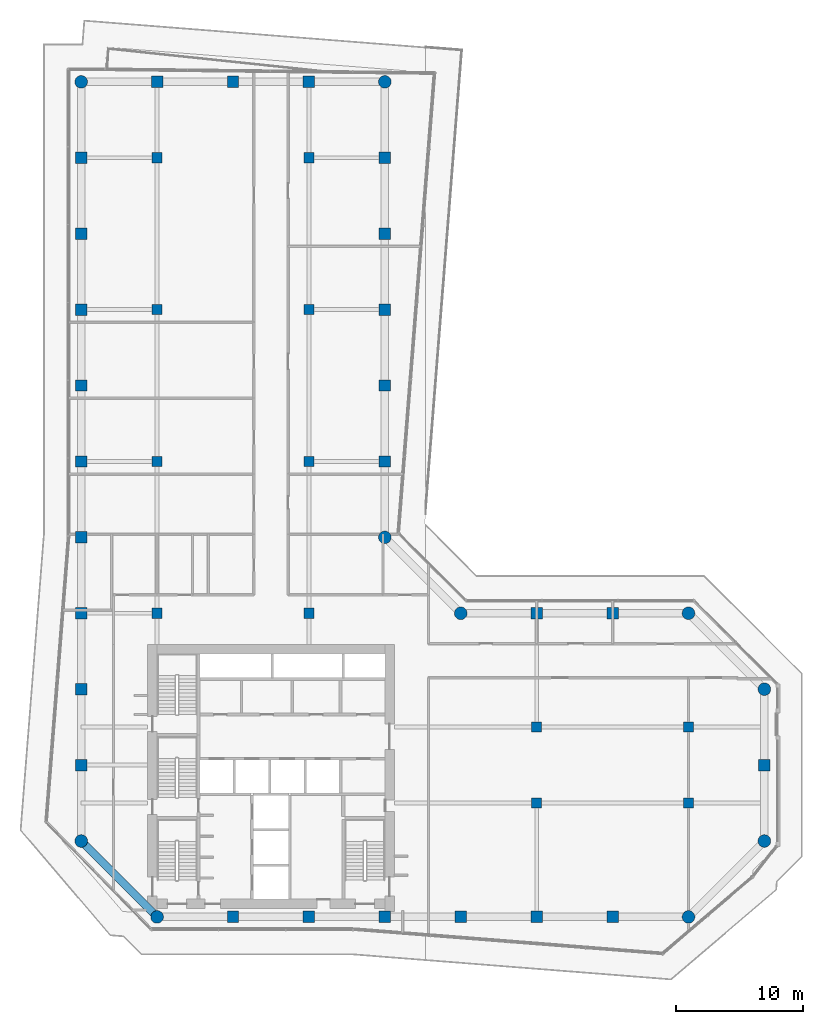
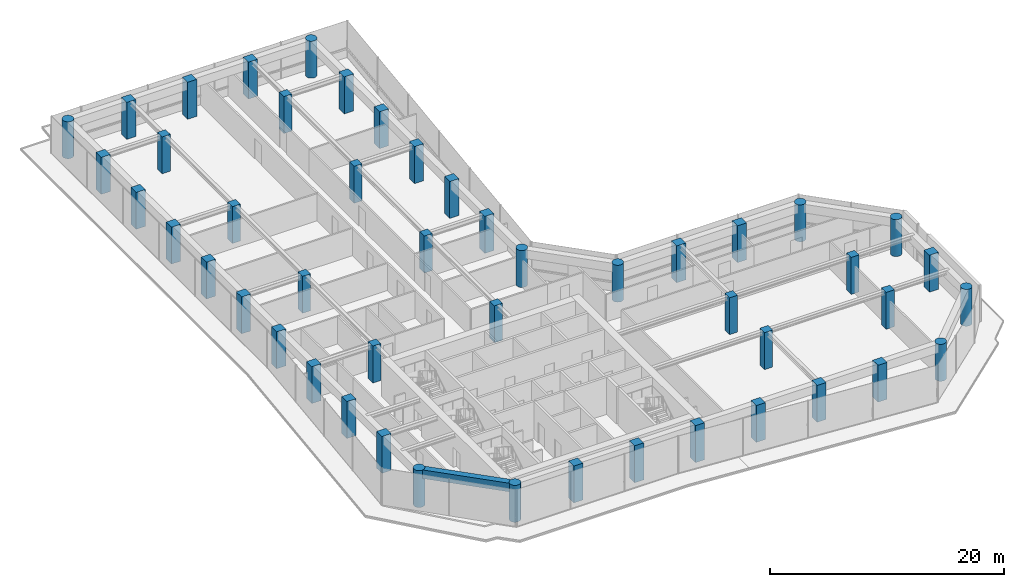
# One storey, part 1 of 24: 48 columns, 1 beam.
"""IFC4 building model written with IfcOpenShell, lengths in metres."""

from ifc_helpers import new_model, si_unit, direction, frame, origin, origin_2d, place, context, subcontext, project, spatial, rectangle, circle, extrude, material, material_profile, profile_set, type_object, element, save


model = new_model("IFC4")

# Units and contexts
model_context = context("Model", 3, precision=1e-05, world=origin(), true_north=direction((0.0, 1.0)))
body_context = subcontext(model_context, "Body", "Model", "MODEL_VIEW")
ifc_project = project(units=[si_unit("LENGTHUNIT", "METRE"), si_unit("AREAUNIT", "SQUARE_METRE"), si_unit("VOLUMEUNIT", "CUBIC_METRE"), si_unit("PLANEANGLEUNIT", "RADIAN"), si_unit("MASSUNIT", "GRAM", prefix="KILO")], contexts=[model_context])

# Site, building, storey
site_placement = place(None, origin())
site = spatial("IfcSite", under=ifc_project, at=site_placement, CompositionType="ELEMENT")
building_placement = place(site_placement, origin())
building = spatial("IfcBuilding", under=site, at=building_placement, Name="Welwitschia Terrace Campus", CompositionType="ELEMENT")
storey_placement = place(building_placement, frame((0.0, 0.0, 129.800048828125)))
storey = spatial("IfcBuildingStorey", under=building, at=storey_placement, Name="L29", CompositionType="ELEMENT", Elevation=129.800048828125)

# Columns
ifc_material_1 = material(Name="Concrete C60/75", Category="concrete")
ifc_material_profile_1 = material_profile(ifc_material_1, circle(Radius=0.5, at=origin_2d()))
ifc_profile_set_1 = profile_set([ifc_material_profile_1], Name="Concrete C60/75")
column_type_1 = type_object("IfcColumnType", Name="Corner column 1000 dia", PredefinedType="COLUMN", material=ifc_profile_set_1)
for number, where, z_axis, x_axis, name in (
    (1, (0.0, 10.0, 0.0), (0.0, 0.0, 1.0), (1.0, 0.0, 0.0), "Column C15"),
    (2, (0.0, 70.0, 0.0), (0.0, 0.0, 1.0), (1.0, 0.0, 0.0), "Column C15"),
    (3, (6.0, 4.0, 0.0), (0.0, 0.0, 1.0), (1.0, 0.0, 0.0), "Column C15"),
    (4, (24.0, 34.0, 0.0), (0.0, 0.0, 1.0), (1.0, 0.0, 0.0), "Column C15"),
    (5, (24.0, 70.0, 0.0), (0.0, 0.0, 1.0), (1.0, 0.0, 0.0), "Column C15"),
    (6, (30.0, 28.0, 0.0), (0.0, 0.0, 1.0), (1.0, 0.0, 0.0), "Column C15"),
    (7, (48.0, 4.0, 0.0), (0.0, 0.0, 1.0), (1.0, 0.0, 0.0), "Column C15"),
    (8, (48.0, 28.0, 0.0), (0.0, 0.0, 1.0), (1.0, 0.0, 0.0), "Column C15"),
    (9, (54.0, 10.0, 0.0), (0.0, 0.0, 1.0), (1.0, 0.0, 0.0), "Column C15"),
    (10, (54.0, 22.0, 0.0), (0.0, 0.0, 1.0), (1.0, 0.0, 0.0), "Column C15"),
):
    element("IfcColumn", number, at=place(storey_placement, frame(where, z_axis=z_axis, x_axis=x_axis)), inside=storey, type_object=column_type_1, Name=name, PredefinedType="COLUMN", context=body_context, shape_type="SweptSolid", body=[
        extrude(circle(Radius=0.5, at=origin_2d()), origin(), (0.0, 0.0, 1.0), 3.849853515625),
    ])
ifc_material_2 = material(Name="Concrete C60/75", Category="concrete")
ifc_material_profile_2 = material_profile(ifc_material_2, rectangle(XDim=0.800048828125, YDim=0.800048828125, at=origin_2d()))
ifc_profile_set_2 = profile_set([ifc_material_profile_2], Name="Concrete C60/75")
column_type_2 = type_object("IfcColumnType", Name="Interior column 800x800", PredefinedType="COLUMN", material=ifc_profile_set_2)
for number, where, z_axis, x_axis, name in (
    (11, (6.0, 28.0, 0.0), (0.0, 0.0, 1.0), (1.0, 0.0, 0.0), "Column C16"),
    (12, (6.0, 40.0, 0.0), (0.0, 0.0, 1.0), (1.0, 0.0, 0.0), "Column C16"),
    (13, (6.0, 52.0, 0.0), (0.0, 0.0, 1.0), (1.0, 0.0, 0.0), "Column C16"),
    (14, (6.0, 64.0, 0.0), (0.0, 0.0, 1.0), (1.0, 0.0, 0.0), "Column C16"),
    (15, (18.0, 28.0, 0.0), (0.0, 0.0, 1.0), (1.0, 0.0, 0.0), "Column C16"),
    (16, (18.0, 40.0, 0.0), (0.0, 0.0, 1.0), (1.0, 0.0, 0.0), "Column C16"),
    (17, (18.0, 52.0, 0.0), (0.0, 0.0, 1.0), (1.0, 0.0, 0.0), "Column C16"),
    (18, (18.0, 64.0, 0.0), (0.0, 0.0, 1.0), (1.0, 0.0, 0.0), "Column C16"),
    (19, (36.0, 13.0, 0.0), (0.0, 0.0, 1.0), (1.0, 0.0, 0.0), "Column C16"),
    (20, (36.0, 19.0, 0.0), (0.0, 0.0, 1.0), (1.0, 0.0, 0.0), "Column C16"),
    (21, (48.0, 13.0, 0.0), (0.0, 0.0, 1.0), (1.0, 0.0, 0.0), "Column C16"),
    (22, (48.0, 19.0, 0.0), (0.0, 0.0, 1.0), (1.0, 0.0, 0.0), "Column C16"),
):
    element("IfcColumn", number, at=place(storey_placement, frame(where, z_axis=z_axis, x_axis=x_axis)), inside=storey, type_object=column_type_2, Name=name, PredefinedType="COLUMN", context=body_context, shape_type="SweptSolid", body=[
        extrude(rectangle(XDim=0.800048828125, YDim=0.800048828125, at=origin_2d()), origin(), (0.0, 0.0, 1.0), 3.849853515625),
    ])
ifc_material_3 = material(Name="Concrete C60/75", Category="concrete")
ifc_material_profile_3 = material_profile(ifc_material_3, rectangle(XDim=0.89990234375, YDim=0.89990234375, at=origin_2d()))
ifc_profile_set_3 = profile_set([ifc_material_profile_3], Name="Concrete C60/75")
column_type_3 = type_object("IfcColumnType", Name="Ring column 900x900", PredefinedType="COLUMN", material=ifc_profile_set_3)
for number, where, z_axis, x_axis, name in (
    (23, (0.0, 16.0, 0.0), (0.0, 0.0, 1.0), (1.0, 0.0, 0.0), "Column C14"),
    (24, (0.0, 22.0, 0.0), (0.0, 0.0, 1.0), (1.0, 0.0, 0.0), "Column C14"),
    (25, (0.0, 28.0, 0.0), (0.0, 0.0, 1.0), (1.0, 0.0, 0.0), "Column C14"),
    (26, (0.0, 34.0, 0.0), (0.0, 0.0, 1.0), (1.0, 0.0, 0.0), "Column C14"),
    (27, (0.0, 40.0, 0.0), (0.0, 0.0, 1.0), (1.0, 0.0, 0.0), "Column C14"),
    (28, (0.0, 46.0, 0.0), (0.0, 0.0, 1.0), (1.0, 0.0, 0.0), "Column C14"),
    (29, (0.0, 52.0, 0.0), (0.0, 0.0, 1.0), (1.0, 0.0, 0.0), "Column C14"),
    (30, (0.0, 58.0, 0.0), (0.0, 0.0, 1.0), (1.0, 0.0, 0.0), "Column C14"),
    (31, (0.0, 64.0, 0.0), (0.0, 0.0, 1.0), (1.0, 0.0, 0.0), "Column C14"),
    (32, (6.0, 70.0, 0.0), (0.0, 0.0, 1.0), (1.0, 0.0, 0.0), "Column C14"),
    (33, (12.0, 4.0, 0.0), (0.0, 0.0, 1.0), (1.0, 0.0, 0.0), "Column C14"),
    (34, (12.0, 70.0, 0.0), (0.0, 0.0, 1.0), (1.0, 0.0, 0.0), "Column C14"),
    (35, (18.0, 4.0, 0.0), (0.0, 0.0, 1.0), (1.0, 0.0, 0.0), "Column C14"),
    (36, (18.0, 70.0, 0.0), (0.0, 0.0, 1.0), (1.0, 0.0, 0.0), "Column C14"),
    (37, (24.0, 4.0, 0.0), (0.0, 0.0, 1.0), (1.0, 0.0, 0.0), "Column C14"),
    (38, (24.0, 40.0, 0.0), (0.0, 0.0, 1.0), (1.0, 0.0, 0.0), "Column C14"),
    (39, (24.0, 46.0, 0.0), (0.0, 0.0, 1.0), (1.0, 0.0, 0.0), "Column C14"),
    (40, (24.0, 52.0, 0.0), (0.0, 0.0, 1.0), (1.0, 0.0, 0.0), "Column C14"),
    (41, (24.0, 58.0, 0.0), (0.0, 0.0, 1.0), (1.0, 0.0, 0.0), "Column C14"),
    (42, (24.0, 64.0, 0.0), (0.0, 0.0, 1.0), (1.0, 0.0, 0.0), "Column C14"),
    (43, (30.0, 4.0, 0.0), (0.0, 0.0, 1.0), (1.0, 0.0, 0.0), "Column C14"),
    (44, (36.0, 4.0, 0.0), (0.0, 0.0, 1.0), (1.0, 0.0, 0.0), "Column C14"),
    (45, (36.0, 28.0, 0.0), (0.0, 0.0, 1.0), (1.0, 0.0, 0.0), "Column C14"),
    (46, (42.0, 4.0, 0.0), (0.0, 0.0, 1.0), (1.0, 0.0, 0.0), "Column C14"),
    (47, (42.0, 28.0, 0.0), (0.0, 0.0, 1.0), (1.0, 0.0, 0.0), "Column C14"),
    (48, (54.0, 16.0, 0.0), (0.0, 0.0, 1.0), (1.0, 0.0, 0.0), "Column C14"),
):
    element("IfcColumn", number, at=place(storey_placement, frame(where, z_axis=z_axis, x_axis=x_axis)), inside=storey, type_object=column_type_3, Name=name, PredefinedType="COLUMN", context=body_context, shape_type="SweptSolid", body=[
        extrude(rectangle(XDim=0.89990234375, YDim=0.89990234375, at=origin_2d()), origin(), (0.0, 0.0, 1.0), 3.849853515625),
    ])

# Beam
ifc_material_4 = material(Name="Concrete C60/75", Category="concrete")
ifc_material_profile_4 = material_profile(ifc_material_4, rectangle(XDim=0.60009765625, YDim=0.89990234375, at=origin_2d()))
ifc_profile_set_4 = profile_set([ifc_material_profile_4], Name="Concrete C60/75")
beam_type = type_object("IfcBeamType", Name="Ring spandrel 600x900", PredefinedType="SPANDREL", material=ifc_profile_set_4)
beam_placement = place(storey_placement, frame((0.283203125, 9.716796875, 3.39990234375), z_axis=(0.707106781187, -0.707106781187, 0.0), x_axis=(0.707106781187, 0.707106781187, 0.0)))
element("IfcBeam", 49, at=beam_placement, inside=storey, type_object=beam_type, Name="Spandrel SP2", PredefinedType="SPANDREL", context=body_context, shape_type="SweptSolid", body=[
    extrude(rectangle(XDim=0.60009765625, YDim=0.89990234375, at=origin_2d()), origin(), (0.0, 0.0, 1.0), 7.684326171875),
])

save(model, "model.ifc")
